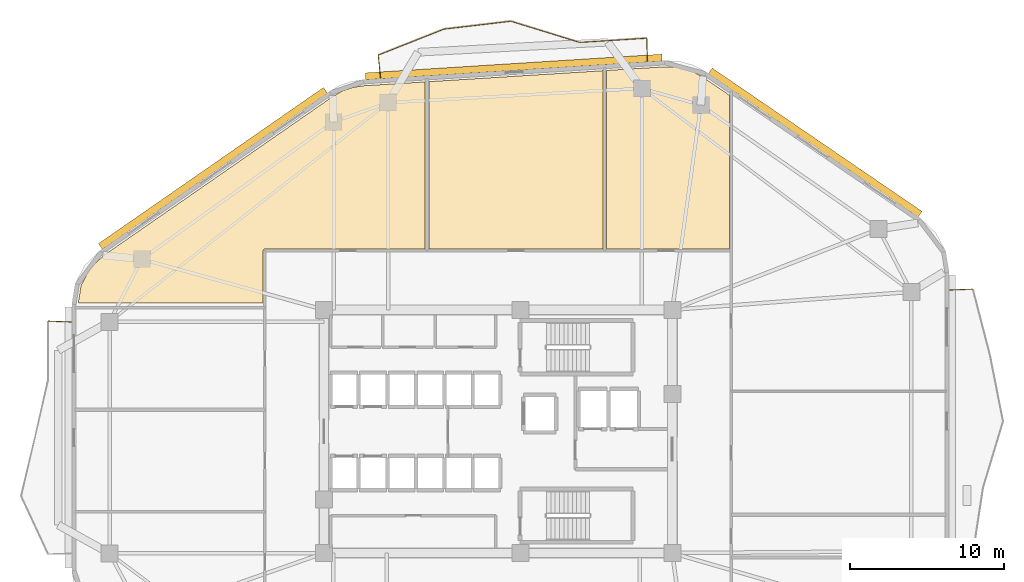
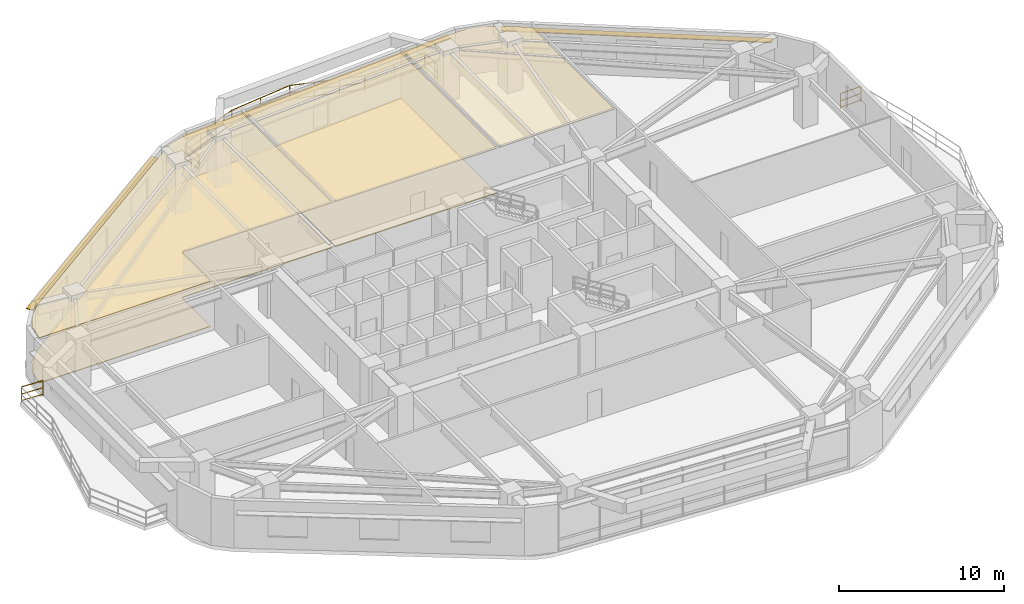
# One storey, part 12 of 12: 8 railings, 5 coverings, 3 shading devices.
"""IFC4 building model written with IfcOpenShell, lengths in metres."""

from ifc_helpers import new_model, si_unit, direction, frame, origin, origin_2d, place, context, subcontext, project, spatial, polyline, rectangle, outline, extrude, material, layer, layer_set, type_object, element, save


model = new_model("IFC4")

# Units and contexts
model_context = context("Model", 3, precision=1e-05, world=origin(), true_north=direction((0.0, 1.0)))
body_context = subcontext(model_context, "Body", "Model", "MODEL_VIEW")
ifc_project = project(units=[si_unit("LENGTHUNIT", "METRE"), si_unit("AREAUNIT", "SQUARE_METRE"), si_unit("VOLUMEUNIT", "CUBIC_METRE"), si_unit("PLANEANGLEUNIT", "RADIAN"), si_unit("MASSUNIT", "GRAM", prefix="KILO")], contexts=[model_context])

# Site, building, storey
site_placement = place(None, origin())
site = spatial("IfcSite", under=ifc_project, at=site_placement, CompositionType="ELEMENT")
building_placement = place(site_placement, origin())
building = spatial("IfcBuilding", under=site, at=building_placement, Name="Zulverin Broadcast Headquarters", CompositionType="ELEMENT")
storey_placement = place(building_placement, frame((0.0, 0.0, 93.39990234375)))
storey = spatial("IfcBuildingStorey", under=building, at=storey_placement, Name="L23", CompositionType="ELEMENT", Elevation=93.39990234375)

# Coverings
ifc_material_1 = material(Name="Perforated pale-metal acoustic baffle ceiling", Category="aluminium")
ifc_layer_1 = layer(ifc_material_1, 0.0400390625, Name="Perforated pale-metal acoustic baffle ceiling", Category="aluminium")
ifc_layer_set_1 = layer_set([ifc_layer_1], Name="Perforated pale-metal acoustic baffle ceiling")
covering_type_1 = type_object("IfcCoveringType", Name="COV-CEIL-ACOU", PredefinedType="CEILING", material=ifc_layer_set_1)
covering_1_placement = place(storey_placement, frame((0.0, 0.0, 3.34521484375)))
element("IfcCovering", 1, at=covering_1_placement, inside=storey, type_object=covering_type_1, Name="L23 Acoustic Baffle Ceiling 01", PredefinedType="CEILING", context=body_context, shape_type="SweptSolid", body=[
    extrude(outline(polyline([(11.4599609375, 36.587890625), (10.56005859375, 35.719970703125), (10.0, 34.64404296875), (9.81591796875, 33.5), (21.780029296875, 33.5), (21.780029296875, 36.867919921875), (21.780029296875, 36.8798828125), (21.783935546875, 36.89208984375), (21.783935546875, 36.89990234375), (21.7880859375, 36.912109375), (21.7919921875, 36.919921875), (21.7958984375, 36.927978515625), (21.800048828125, 36.93603515625), (21.80810546875, 36.947998046875), (21.81591796875, 36.9599609375), (21.823974609375, 36.968017578125), (21.83203125, 36.97607421875), (21.840087890625, 36.98388671875), (21.85205078125, 36.991943359375), (21.864013671875, 37.0), (21.8798828125, 37.008056640625), (21.887939453125, 37.011962890625), (21.89990234375, 37.01611328125), (21.907958984375, 37.01611328125), (21.919921875, 37.02001953125), (21.931884765625, 37.02001953125), (32.280029296875, 37.02001953125), (32.280029296875, 47.827880859375), (28.27587890625, 47.575927734375), (27.580078125, 47.468017578125), (26.927978515625, 47.243896484375), (26.31591796875, 46.89599609375), (11.4599609375, 36.587890625)])), origin(), (0.0, 0.0, 1.0), 0.039794921875),
])
covering_2_placement = place(storey_placement, frame((0.0, 0.0, 3.34521484375)))
element("IfcCovering", 2, at=covering_2_placement, inside=storey, type_object=covering_type_1, Name="L23 Acoustic Baffle Ceiling 02", PredefinedType="CEILING", context=body_context, shape_type="SweptSolid", body=[
    extrude(outline(polyline([(43.780029296875, 37.02001953125), (43.780029296875, 48.552001953125), (32.52001953125, 47.843994140625), (32.52001953125, 37.02001953125), (43.780029296875, 37.02001953125)])), origin(), (0.0, 0.0, 1.0), 0.039794921875),
])
covering_3_placement = place(storey_placement, frame((0.0, 0.0, 3.34521484375)))
element("IfcCovering", 3, at=covering_3_placement, inside=storey, type_object=covering_type_1, Name="L23 Acoustic Baffle Ceiling 03", PredefinedType="CEILING", context=body_context, shape_type="SweptSolid", body=[
    extrude(outline(polyline([(51.97998046875, 37.02001953125), (51.97998046875, 46.9599609375), (50.248046875, 48.139892578125), (49.491943359375, 48.548095703125), (48.68408203125, 48.76806640625), (47.823974609375, 48.80810546875), (44.02001953125, 48.568115234375), (44.02001953125, 37.02001953125), (51.97998046875, 37.02001953125)])), origin(), (0.0, 0.0, 1.0), 0.039794921875),
])
ifc_material_2 = material(Name="Anti-static broadcast raised access flooring", Category="stone")
ifc_layer_2 = layer(ifc_material_2, 0.050048828125, Name="Anti-static broadcast raised access flooring", Category="stone")
ifc_layer_set_2 = layer_set([ifc_layer_2], Name="Anti-static broadcast raised access flooring")
covering_type_2 = type_object("IfcCoveringType", Name="COV-FLR-RAISED", PredefinedType="FLOORING", material=ifc_layer_set_2)
covering_4_placement = place(storey_placement, origin())
element("IfcCovering", 4, at=covering_4_placement, inside=storey, type_object=covering_type_2, Name="L23 Broadcast Raised Access Flooring 01", PredefinedType="FLOORING", context=body_context, shape_type="SweptSolid", body=[
    extrude(outline(polyline([(11.4599609375, 36.587890625), (10.56005859375, 35.719970703125), (10.0, 34.64404296875), (9.81591796875, 33.5), (21.780029296875, 33.5), (21.780029296875, 36.867919921875), (21.780029296875, 36.8798828125), (21.783935546875, 36.89208984375), (21.783935546875, 36.89990234375), (21.7880859375, 36.912109375), (21.7919921875, 36.919921875), (21.7958984375, 36.927978515625), (21.800048828125, 36.93603515625), (21.80810546875, 36.947998046875), (21.81591796875, 36.9599609375), (21.823974609375, 36.968017578125), (21.83203125, 36.97607421875), (21.840087890625, 36.98388671875), (21.85205078125, 36.991943359375), (21.864013671875, 37.0), (21.8798828125, 37.008056640625), (21.887939453125, 37.011962890625), (21.89990234375, 37.01611328125), (21.907958984375, 37.01611328125), (21.919921875, 37.02001953125), (21.931884765625, 37.02001953125), (32.280029296875, 37.02001953125), (32.280029296875, 47.827880859375), (28.27587890625, 47.575927734375), (27.580078125, 47.468017578125), (26.927978515625, 47.243896484375), (26.31591796875, 46.89599609375), (11.4599609375, 36.587890625)])), origin(), (0.0, 0.0, 1.0), 0.050048828125),
])
covering_5_placement = place(storey_placement, origin())
element("IfcCovering", 5, at=covering_5_placement, inside=storey, type_object=covering_type_2, Name="L23 Broadcast Raised Access Flooring 02", PredefinedType="FLOORING", context=body_context, shape_type="SweptSolid", body=[
    extrude(outline(polyline([(43.780029296875, 37.02001953125), (43.780029296875, 48.552001953125), (32.52001953125, 47.843994140625), (32.52001953125, 37.02001953125), (43.780029296875, 37.02001953125)])), origin(), (0.0, 0.0, 1.0), 0.050048828125),
])

# Railings
ifc_material_3 = material(Name="Brushed stainless steel & laminated glass balustrade", Category="steel")
railing_type = type_object("IfcRailingType", Name="RL-GUARD-1150", PredefinedType="GUARDRAIL", material=ifc_material_3)
railing_1_placement = place(storey_placement, frame((67.705078125, 34.413818359375, 0.0)))
element("IfcRailing", 6, at=railing_1_placement, inside=storey, type_object=railing_type, Name="L23 Vertical-Forest Balcony Guardrail BAL_E Segment 06", PredefinedType="GUARDRAIL", context=body_context, shape_type="SweptSolid", body=[
    extrude(rectangle(XDim=0.048095703125, YDim=0.048095703125, at=origin_2d()), frame((0.0, 0.0, 1.1259765625), z_axis=(-0.999181155166, -0.040460093435, 0.0), x_axis=(0.040460093435, -0.999181155166, 0.0)), (0.0, 0.0, 1.0), 1.46630859375),
    extrude(rectangle(XDim=0.0419921875, YDim=0.0419921875, at=origin_2d()), frame((0.0, 0.0, 0.597900390625), z_axis=(-0.999181155166, -0.040460093435, 0.0), x_axis=(0.040460093435, -0.999181155166, 0.0)), (0.0, 0.0, 1.0), 1.46630859375),
    extrude(rectangle(XDim=0.0419921875, YDim=0.0419921875, at=origin_2d()), frame((0.0, 0.0, 0.1201171875), z_axis=(-0.999181155166, -0.040460093435, 0.0), x_axis=(0.040460093435, -0.999181155166, 0.0)), (0.0, 0.0, 1.0), 1.46630859375),
    extrude(rectangle(XDim=0.0419921875, YDim=0.0419921875, at=origin_2d()), origin(), (0.0, 0.0, 1.0), 1.101806640625),
    extrude(rectangle(XDim=0.0419921875, YDim=0.0419921875, at=origin_2d()), frame((-1.465087890625, -0.059326171875, 0.0)), (0.0, 0.0, 1.0), 1.101806640625),
])
railing_2_placement = place(storey_placement, frame((46.662841796875, 49.176025390625, 0.0)))
element("IfcRailing", 7, at=railing_2_placement, inside=storey, type_object=railing_type, Name="L23 Vertical-Forest Balcony Guardrail BAL_N Segment 01", PredefinedType="GUARDRAIL", context=body_context, shape_type="SweptSolid", body=[
    extrude(rectangle(XDim=0.048095703125, YDim=0.048095703125, at=origin_2d()), frame((0.0, 0.0, 1.1259765625), z_axis=(-0.022479328211, 0.999747307975, 0.0), x_axis=(-0.999747307975, -0.022479328211, 0.0)), (0.0, 0.0, 1.0), 1.46630859375),
    extrude(rectangle(XDim=0.0419921875, YDim=0.0419921875, at=origin_2d()), frame((0.0, 0.0, 0.597900390625), z_axis=(-0.022479328211, 0.999747307975, 0.0), x_axis=(-0.999747307975, -0.022479328211, 0.0)), (0.0, 0.0, 1.0), 1.46630859375),
    extrude(rectangle(XDim=0.0419921875, YDim=0.0419921875, at=origin_2d()), frame((0.0, 0.0, 0.1201171875), z_axis=(-0.022479328211, 0.999747307975, 0.0), x_axis=(-0.999747307975, -0.022479328211, 0.0)), (0.0, 0.0, 1.0), 1.46630859375),
    extrude(rectangle(XDim=0.0419921875, YDim=0.0419921875, at=origin_2d()), origin(), (0.0, 0.0, 1.0), 1.101806640625),
    extrude(rectangle(XDim=0.0419921875, YDim=0.0419921875, at=origin_2d()), frame((-0.032958984375, 1.4658203125, 0.0)), (0.0, 0.0, 1.0), 1.101806640625),
])
railing_3_placement = place(storey_placement, frame((46.614501953125, 50.656005859375, 0.0)))
element("IfcRailing", 8, at=railing_3_placement, inside=storey, type_object=railing_type, Name="L23 Vertical-Forest Balcony Guardrail BAL_N Segment 02", PredefinedType="GUARDRAIL", context=body_context, shape_type="SweptSolid", body=[
    extrude(rectangle(XDim=0.048095703125, YDim=0.048095703125, at=origin_2d()), frame((0.0, 0.0, 1.1259765625), z_axis=(-0.998015967654, -0.062961323906, 0.0), x_axis=(0.062961323906, -0.998015967654, 0.0)), (0.0, 0.0, 1.0), 4.327392578125),
    extrude(rectangle(XDim=0.0419921875, YDim=0.0419921875, at=origin_2d()), frame((0.0, 0.0, 0.597900390625), z_axis=(-0.998015967654, -0.062961323906, 0.0), x_axis=(0.062961323906, -0.998015967654, 0.0)), (0.0, 0.0, 1.0), 4.327392578125),
    extrude(rectangle(XDim=0.0419921875, YDim=0.0419921875, at=origin_2d()), frame((0.0, 0.0, 0.1201171875), z_axis=(-0.998015967654, -0.062961323906, 0.0), x_axis=(0.062961323906, -0.998015967654, 0.0)), (0.0, 0.0, 1.0), 4.327392578125),
    extrude(rectangle(XDim=0.0419921875, YDim=0.0419921875, at=origin_2d()), origin(), (0.0, 0.0, 1.0), 1.101806640625),
    extrude(rectangle(XDim=0.0419921875, YDim=0.0419921875, at=origin_2d()), frame((-2.159423828125, -0.13623046875, 0.0)), (0.0, 0.0, 1.0), 1.101806640625),
    extrude(rectangle(XDim=0.0419921875, YDim=0.0419921875, at=origin_2d()), frame((-4.31884765625, -0.2724609375, 0.0)), (0.0, 0.0, 1.0), 1.101806640625),
])
railing_4_placement = place(storey_placement, frame((42.266357421875, 50.38720703125, 0.0)))
element("IfcRailing", 9, at=railing_4_placement, inside=storey, type_object=railing_type, Name="L23 Vertical-Forest Balcony Guardrail BAL_N Segment 03", PredefinedType="GUARDRAIL", context=body_context, shape_type="SweptSolid", body=[
    extrude(rectangle(XDim=0.048095703125, YDim=0.048095703125, at=origin_2d()), frame((0.0, 0.0, 1.1259765625), z_axis=(-0.955636357772, 0.29454906502, 0.0), x_axis=(-0.29454906502, -0.955636357772, 0.0)), (0.0, 0.0, 1.0), 4.629150390625),
    extrude(rectangle(XDim=0.0419921875, YDim=0.0419921875, at=origin_2d()), frame((0.0, 0.0, 0.597900390625), z_axis=(-0.955636357772, 0.29454906502, 0.0), x_axis=(-0.29454906502, -0.955636357772, 0.0)), (0.0, 0.0, 1.0), 4.629150390625),
    extrude(rectangle(XDim=0.0419921875, YDim=0.0419921875, at=origin_2d()), frame((0.0, 0.0, 0.1201171875), z_axis=(-0.955636357772, 0.29454906502, 0.0), x_axis=(-0.29454906502, -0.955636357772, 0.0)), (0.0, 0.0, 1.0), 4.629150390625),
    extrude(rectangle(XDim=0.0419921875, YDim=0.0419921875, at=origin_2d()), origin(), (0.0, 0.0, 1.0), 1.101806640625),
    extrude(rectangle(XDim=0.0419921875, YDim=0.0419921875, at=origin_2d()), frame((-1.474609375, 0.45458984375, 0.0)), (0.0, 0.0, 1.0), 1.101806640625),
    extrude(rectangle(XDim=0.0419921875, YDim=0.0419921875, at=origin_2d()), frame((-2.94921875, 0.908935546875, 0.0)), (0.0, 0.0, 1.0), 1.101806640625),
    extrude(rectangle(XDim=0.0419921875, YDim=0.0419921875, at=origin_2d()), frame((-4.423828125, 1.363525390625, 0.0)), (0.0, 0.0, 1.0), 1.101806640625),
])
railing_5_placement = place(storey_placement, frame((37.813232421875, 51.75341796875, 0.0)))
element("IfcRailing", 10, at=railing_5_placement, inside=storey, type_object=railing_type, Name="L23 Vertical-Forest Balcony Guardrail BAL_N Segment 04", PredefinedType="GUARDRAIL", context=body_context, shape_type="SweptSolid", body=[
    extrude(rectangle(XDim=0.048095703125, YDim=0.048095703125, at=origin_2d()), frame((0.0, 0.0, 1.1259765625), z_axis=(-0.993091646174, -0.11734130688, 0.0), x_axis=(0.11734130688, -0.993091646174, 0.0)), (0.0, 0.0, 1.0), 4.333984375),
    extrude(rectangle(XDim=0.0419921875, YDim=0.0419921875, at=origin_2d()), frame((0.0, 0.0, 0.597900390625), z_axis=(-0.993091646174, -0.11734130688, 0.0), x_axis=(0.11734130688, -0.993091646174, 0.0)), (0.0, 0.0, 1.0), 4.333984375),
    extrude(rectangle(XDim=0.0419921875, YDim=0.0419921875, at=origin_2d()), frame((0.0, 0.0, 0.1201171875), z_axis=(-0.993091646174, -0.11734130688, 0.0), x_axis=(0.11734130688, -0.993091646174, 0.0)), (0.0, 0.0, 1.0), 4.333984375),
    extrude(rectangle(XDim=0.0419921875, YDim=0.0419921875, at=origin_2d()), origin(), (0.0, 0.0, 1.0), 1.101806640625),
    extrude(rectangle(XDim=0.0419921875, YDim=0.0419921875, at=origin_2d()), frame((-2.15185546875, -0.25439453125, 0.0)), (0.0, 0.0, 1.0), 1.101806640625),
    extrude(rectangle(XDim=0.0419921875, YDim=0.0419921875, at=origin_2d()), frame((-4.303955078125, -0.508544921875, 0.0)), (0.0, 0.0, 1.0), 1.101806640625),
])
railing_6_placement = place(storey_placement, frame((33.48046875, 51.237548828125, 0.0)))
element("IfcRailing", 11, at=railing_6_placement, inside=storey, type_object=railing_type, Name="L23 Vertical-Forest Balcony Guardrail BAL_N Segment 05", PredefinedType="GUARDRAIL", context=body_context, shape_type="SweptSolid", body=[
    extrude(rectangle(XDim=0.048095703125, YDim=0.048095703125, at=origin_2d()), frame((0.0, 0.0, 1.1259765625), z_axis=(-0.930033653867, -0.367474356486, 0.0), x_axis=(0.367474356486, -0.930033653867, 0.0)), (0.0, 0.0, 1.0), 4.55029296875),
    extrude(rectangle(XDim=0.0419921875, YDim=0.0419921875, at=origin_2d()), frame((0.0, 0.0, 0.597900390625), z_axis=(-0.930033653867, -0.367474356486, 0.0), x_axis=(0.367474356486, -0.930033653867, 0.0)), (0.0, 0.0, 1.0), 4.55029296875),
    extrude(rectangle(XDim=0.0419921875, YDim=0.0419921875, at=origin_2d()), frame((0.0, 0.0, 0.1201171875), z_axis=(-0.930033653867, -0.367474356486, 0.0), x_axis=(0.367474356486, -0.930033653867, 0.0)), (0.0, 0.0, 1.0), 4.55029296875),
    extrude(rectangle(XDim=0.0419921875, YDim=0.0419921875, at=origin_2d()), origin(), (0.0, 0.0, 1.0), 1.101806640625),
    extrude(rectangle(XDim=0.0419921875, YDim=0.0419921875, at=origin_2d()), frame((-1.41064453125, -0.557373046875, 0.0)), (0.0, 0.0, 1.0), 1.101806640625),
    extrude(rectangle(XDim=0.0419921875, YDim=0.0419921875, at=origin_2d()), frame((-2.8212890625, -1.11474609375, 0.0)), (0.0, 0.0, 1.0), 1.101806640625),
    extrude(rectangle(XDim=0.0419921875, YDim=0.0419921875, at=origin_2d()), frame((-4.23193359375, -1.672119140625, 0.0)), (0.0, 0.0, 1.0), 1.101806640625),
])
railing_7_placement = place(storey_placement, frame((29.236083984375, 49.545166015625, 0.0)))
element("IfcRailing", 12, at=railing_7_placement, inside=storey, type_object=railing_type, Name="L23 Vertical-Forest Balcony Guardrail BAL_N Segment 06", PredefinedType="GUARDRAIL", context=body_context, shape_type="SweptSolid", body=[
    extrude(rectangle(XDim=0.048095703125, YDim=0.048095703125, at=origin_2d()), frame((0.0, 0.0, 1.1259765625), z_axis=(0.103393334431, -0.994640547331, 0.0), x_axis=(0.994640547331, 0.103393334431, 0.0)), (0.0, 0.0, 1.0), 1.46630859375),
    extrude(rectangle(XDim=0.0419921875, YDim=0.0419921875, at=origin_2d()), frame((0.0, 0.0, 0.597900390625), z_axis=(0.103393334431, -0.994640547331, 0.0), x_axis=(0.994640547331, 0.103393334431, 0.0)), (0.0, 0.0, 1.0), 1.46630859375),
    extrude(rectangle(XDim=0.0419921875, YDim=0.0419921875, at=origin_2d()), frame((0.0, 0.0, 0.1201171875), z_axis=(0.103393334431, -0.994640547331, 0.0), x_axis=(0.994640547331, 0.103393334431, 0.0)), (0.0, 0.0, 1.0), 1.46630859375),
    extrude(rectangle(XDim=0.0419921875, YDim=0.0419921875, at=origin_2d()), origin(), (0.0, 0.0, 1.0), 1.101806640625),
    extrude(rectangle(XDim=0.0419921875, YDim=0.0419921875, at=origin_2d()), frame((0.151611328125, -1.45849609375, 0.0)), (0.0, 0.0, 1.0), 1.101806640625),
])
railing_8_placement = place(storey_placement, frame((9.360107421875, 32.284423828125, 0.0)))
element("IfcRailing", 13, at=railing_8_placement, inside=storey, type_object=railing_type, Name="L23 Vertical-Forest Balcony Guardrail BAL_W Segment 01", PredefinedType="GUARDRAIL", context=body_context, shape_type="SweptSolid", body=[
    extrude(rectangle(XDim=0.048095703125, YDim=0.048095703125, at=origin_2d()), frame((0.0, 0.0, 1.1259765625), z_axis=(-0.999181155166, 0.040460093435, 0.0), x_axis=(-0.040460093435, -0.999181155166, 0.0)), (0.0, 0.0, 1.0), 1.46630859375),
    extrude(rectangle(XDim=0.0419921875, YDim=0.0419921875, at=origin_2d()), frame((0.0, 0.0, 0.597900390625), z_axis=(-0.999181155166, 0.040460093435, 0.0), x_axis=(-0.040460093435, -0.999181155166, 0.0)), (0.0, 0.0, 1.0), 1.46630859375),
    extrude(rectangle(XDim=0.0419921875, YDim=0.0419921875, at=origin_2d()), frame((0.0, 0.0, 0.1201171875), z_axis=(-0.999181155166, 0.040460093435, 0.0), x_axis=(-0.040460093435, -0.999181155166, 0.0)), (0.0, 0.0, 1.0), 1.46630859375),
    extrude(rectangle(XDim=0.0419921875, YDim=0.0419921875, at=origin_2d()), origin(), (0.0, 0.0, 1.0), 1.101806640625),
    extrude(rectangle(XDim=0.0419921875, YDim=0.0419921875, at=origin_2d()), frame((-1.465087890625, 0.059326171875, 0.0)), (0.0, 0.0, 1.0), 1.101806640625),
])

# Shading devices
ifc_material_4 = material(Name="Anodized pale-metal aluminium sunshade", Category="aluminium")
ifc_layer_3 = layer(ifc_material_4, 0.06005859375, Name="Anodized pale-metal aluminium sunshade", Category="aluminium")
ifc_layer_set_3 = layer_set([ifc_layer_3], Name="Anodized pale-metal aluminium sunshade")
shading_device_type = type_object("IfcShadingDeviceType", Name="SS-01_PALE_METAL_ALUMINIUM_SUNSHADE", PredefinedType="USERDEFINED", material=ifc_layer_set_3)
shading_device_1_placement = place(storey_placement, frame((57.525390625, 43.8994140625, 2.7099609375), z_axis=(0.0, 0.0, 1.0), x_axis=(-0.825756855157, 0.564026254851, 0.0)))
element("IfcShadingDevice", 14, at=shading_device_1_placement, inside=storey, type_object=shading_device_type, Name="L23 Horizontal Pale-Metal Sunshade Band 4", ObjectType="SUNSHADE", PredefinedType="USERDEFINED", context=body_context, shape_type="SweptSolid", body=[
    extrude(rectangle(XDim=16.4482421875, YDim=0.449951171875, at=origin_2d()), origin(), (0.0, 0.0, 1.0), 0.06005859375),
])
shading_device_2_placement = place(storey_placement, frame((38.01513671875, 48.791015625, 2.7099609375), z_axis=(0.0, 0.0, 1.0), x_axis=(-0.998017621976, -0.062935095345, 0.0)))
element("IfcShadingDevice", 15, at=shading_device_2_placement, inside=storey, type_object=shading_device_type, Name="L23 Horizontal Pale-Metal Sunshade Band 5", ObjectType="SUNSHADE", PredefinedType="USERDEFINED", context=body_context, shape_type="SweptSolid", body=[
    extrude(rectangle(XDim=19.2294921875, YDim=0.449951171875, at=origin_2d()), origin(), (0.0, 0.0, 1.0), 0.06005859375),
])
shading_device_3_placement = place(storey_placement, frame((18.539794921875, 42.22802734375, 2.7099609375), z_axis=(0.0, 0.0, 1.0), x_axis=(-0.821556397865, -0.57012725345, 0.0)))
element("IfcShadingDevice", 16, at=shading_device_3_placement, inside=storey, type_object=shading_device_type, Name="L23 Horizontal Pale-Metal Sunshade Band 6", ObjectType="SUNSHADE", PredefinedType="USERDEFINED", context=body_context, shape_type="SweptSolid", body=[
    extrude(rectangle(XDim=17.732421875, YDim=0.449951171875, at=origin_2d()), origin(), (0.0, 0.0, 1.0), 0.06005859375),
])

save(model, "model.ifc")
